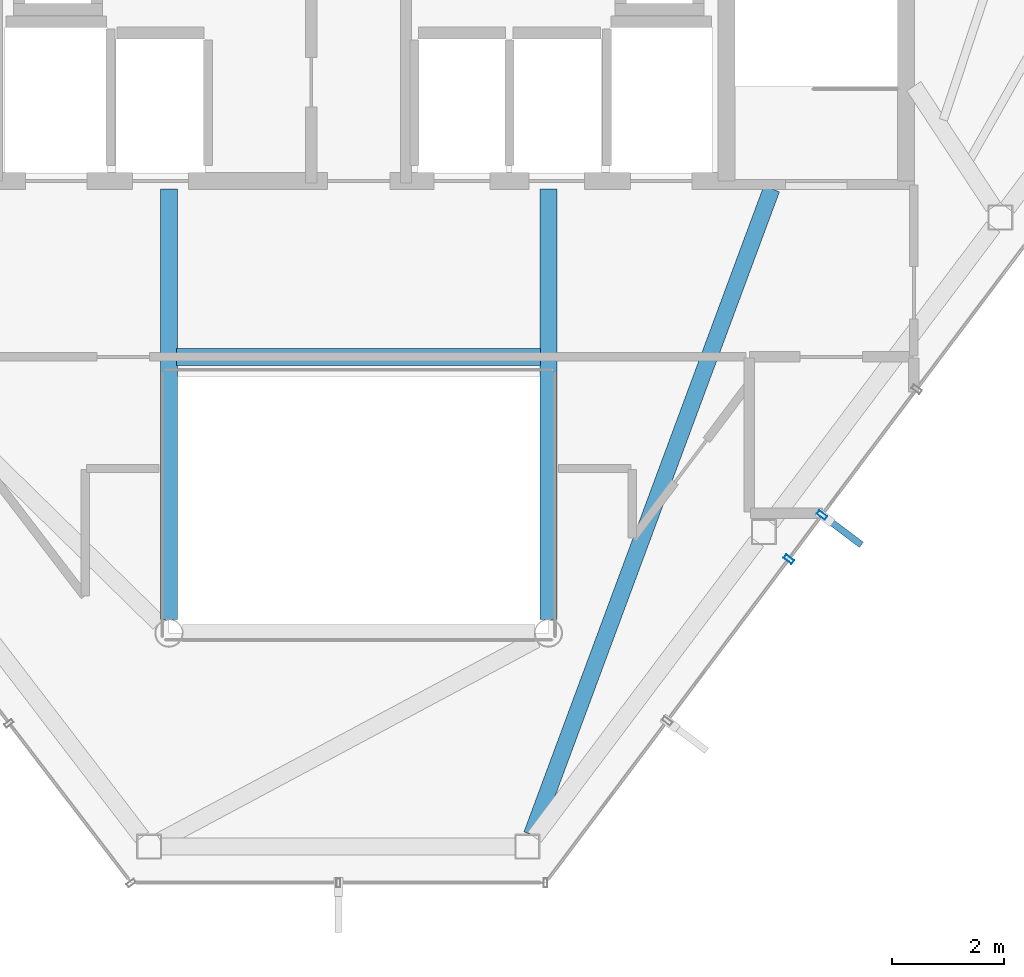
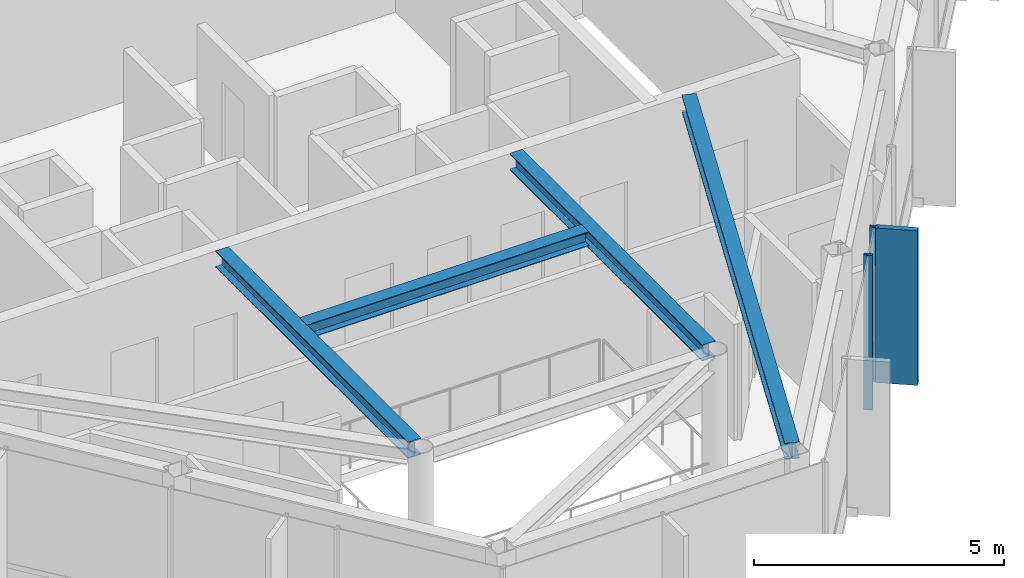
# One storey, part 6 of 21: 4 beams, 3 members, 1 element without a shape of its own.
"""IFC4 building model written with IfcOpenShell, lengths in metres."""

from ifc_helpers import new_model, si_unit, direction, frame, origin, origin_2d, place, context, subcontext, project, spatial, rectangle, hollow_rectangle, i_section, extrude, material, layer, layer_set, material_profile, profile_set, type_object, element, aggregate, save


model = new_model("IFC4")

# Units and contexts
model_context = context("Model", 3, precision=1e-05, world=origin(), true_north=direction((0.0, 1.0)))
body_context = subcontext(model_context, "Body", "Model", "MODEL_VIEW")
ifc_project = project(units=[si_unit("LENGTHUNIT", "METRE"), si_unit("AREAUNIT", "SQUARE_METRE"), si_unit("VOLUMEUNIT", "CUBIC_METRE"), si_unit("PLANEANGLEUNIT", "RADIAN"), si_unit("MASSUNIT", "GRAM", prefix="KILO")], contexts=[model_context])

# Site, building, storey
site_placement = place(None, origin())
site = spatial("IfcSite", under=ifc_project, at=site_placement, CompositionType="ELEMENT")
building_placement = place(site_placement, origin())
building = spatial("IfcBuilding", under=site, at=building_placement, Name="Zarrinselat Tower", CompositionType="ELEMENT")
storey_placement = place(building_placement, frame((0.0, 0.0, 299.199951171875)))
storey = spatial("IfcBuildingStorey", under=building, at=storey_placement, Name="L77", CompositionType="ELEMENT", Elevation=299.199951171875)

# Beams
ifc_material_1 = material(Name="Steel S355J2", Category="steel")
ifc_material_profile_1 = material_profile(ifc_material_1, i_section(OverallWidth=0.300048828125, OverallDepth=0.35009765625, WebThickness=0.010009765625, FlangeThickness=0.017578125, at=origin_2d()), Name="HEA 360")
ifc_profile_set_1 = profile_set([ifc_material_profile_1], Name="Steel S355J2")
beam_type_1 = type_object("IfcBeamType", Name="BM-HEA360", PredefinedType="LINTEL", material=ifc_profile_set_1)
beam_1_placement = place(storey_placement, frame((35.139892578125, 30.14990234375, 3.60498046875), z_axis=(1.0, 0.0, 0.0), x_axis=(0.0, 1.0, 0.0)))
element("IfcBeam", 1, at=beam_1_placement, inside=storey, type_object=beam_type_1, Name="L77 Lift Lobby Ceiling Beam", PredefinedType="LINTEL", context=body_context, shape_type="SweptSolid", body=[
    extrude(i_section(OverallWidth=0.300048828125, OverallDepth=0.35009765625, WebThickness=0.010009765625, FlangeThickness=0.017578125, at=origin_2d()), origin(), (0.0, 0.0, 1.0), 6.52001953125),
])
ifc_material_2 = material(Name="Steel S355J2", Category="steel")
ifc_material_profile_2 = material_profile(ifc_material_2, i_section(OverallWidth=0.300048828125, OverallDepth=0.39990234375, WebThickness=0.013427734375, FlangeThickness=0.02392578125, at=origin_2d()), Name="HEB 400")
ifc_profile_set_2 = profile_set([ifc_material_profile_2], Name="Steel S355J2")
beam_type_2 = type_object("IfcBeamType", Name="BM-HEB400", PredefinedType="BEAM", material=ifc_profile_set_2)
for number, where, z_axis, x_axis, name in (
    (2, (35.0, 25.43994140625, 3.580078125), (0.0, 1.0, 0.0), (-1.0, 0.0, 0.0), "L77 Atrium Edge Beam W"),
    (3, (41.800048828125, 25.43994140625, 3.580078125), (0.0, 1.0, 0.0), (-1.0, 0.0, 0.0), "L77 Atrium Edge Beam E"),
):
    element("IfcBeam", number, at=place(storey_placement, frame(where, z_axis=z_axis, x_axis=x_axis)), inside=storey, type_object=beam_type_2, Name=name, PredefinedType="BEAM", context=body_context, shape_type="SweptSolid", body=[
        extrude(i_section(OverallWidth=0.300048828125, OverallDepth=0.39990234375, WebThickness=0.013427734375, FlangeThickness=0.02392578125, at=origin_2d()), origin(), (0.0, 0.0, 1.0), 7.719970703125),
    ])
beam_2_placement = place(storey_placement, frame((41.502685546875, 21.586181640625, 3.580078125), z_axis=(0.348083253795, 0.937463625122, 0.0), x_axis=(-0.937463625122, 0.348083253795, 0.0)))
element("IfcBeam", 4, at=beam_2_placement, inside=storey, type_object=beam_type_2, Name="L77 Radial Primary Girder RG11", PredefinedType="BEAM", context=body_context, shape_type="SweptSolid", body=[
    extrude(i_section(OverallWidth=0.300048828125, OverallDepth=0.39990234375, WebThickness=0.013427734375, FlangeThickness=0.02392578125, at=origin_2d()), origin(), (0.0, 0.0, 1.0), 12.345703125),
])

# Curtain wall, members
ifc_material_3 = material(Name="Extruded Aluminium Alloy EN AW-6063 T6", Category="aluminium")
ifc_layer = layer(ifc_material_3, 0.199951171875)
ifc_layer_set = layer_set([ifc_layer], Name="Extruded Aluminium Alloy EN AW-6063 T6")
curtain_wall_type = type_object("IfcCurtainWallType", Name="CWS-BLADE", PredefinedType="NOTDEFINED", material=ifc_layer_set)
curtain_wall_placement = place(storey_placement, origin())
curtain_wall = element("IfcCurtainWall", 5, at=curtain_wall_placement, inside=storey, type_object=curtain_wall_type, Name="L77 Unitised Curtain Wall CW-L77-E05", PredefinedType="NOTDEFINED")
ifc_material_4 = material(Name="Extruded Aluminium Alloy EN AW-6063 T6", Category="aluminium")
ifc_material_profile_3 = material_profile(ifc_material_4, hollow_rectangle(XDim=0.080078125, YDim=0.179931640625, WallThickness=0.0048828125, at=origin_2d()), Name="RHS 180x80x5")
ifc_profile_set_3 = profile_set([ifc_material_profile_3], Name="Extruded Aluminium Alloy EN AW-6063 T6")
member_type_1 = type_object("IfcMemberType", Name="MEM-CW-MUL", PredefinedType="MULLION", material=ifc_profile_set_3)
member_1_placement = place(storey_placement, frame((46.108642578125, 26.5244140625, 0.0), z_axis=(0.0, 0.0, 1.0), x_axis=(0.600848494465, 0.799362925522, 0.0)))
member_1 = element("IfcMember", 6, at=member_1_placement, type_object=member_type_1, Name="CW-L77-E05 Mullion 2", PredefinedType="MULLION", context=body_context, shape_type="SweptSolid", body=[
    extrude(hollow_rectangle(XDim=0.080078125, YDim=0.179931640625, WallThickness=0.0048828125, at=origin_2d()), origin(), (0.0, 0.0, 1.0), 3.780029296875),
])
member_2_placement = place(storey_placement, frame((46.7021484375, 27.31396484375, 0.0), z_axis=(0.0, 0.0, 1.0), x_axis=(0.600848494465, 0.799362925522, 0.0)))
member_2 = element("IfcMember", 7, at=member_2_placement, type_object=member_type_1, Name="CW-L77-E05 Mullion 3", PredefinedType="MULLION", context=body_context, shape_type="SweptSolid", body=[
    extrude(hollow_rectangle(XDim=0.080078125, YDim=0.179931640625, WallThickness=0.0048828125, at=origin_2d()), origin(), (0.0, 0.0, 1.0), 3.780029296875),
])
ifc_material_5 = material(Name="Honed Cream Travertine Stone", Category="masonry")
ifc_material_profile_4 = material_profile(ifc_material_5, rectangle(XDim=0.1201171875, YDim=0.85009765625, at=origin_2d()), Name="FIN 850x120")
ifc_profile_set_4 = profile_set([ifc_material_profile_4], Name="Honed Cream Travertine Stone")
member_type_2 = type_object("IfcMemberType", Name="MEM-STONE-FIN", PredefinedType="USERDEFINED", material=ifc_profile_set_4)
member_3_placement = place(storey_placement, frame((47.06982421875, 27.03759765625, 0.0), z_axis=(0.0, 0.0, 1.0), x_axis=(-0.600848494465, -0.799362925522, 0.0)))
member_3 = element("IfcMember", 8, at=member_3_placement, type_object=member_type_2, Name="L77 Stone Shading Fin CW-L77-E05-03", ObjectType="FIN", PredefinedType="USERDEFINED", context=body_context, shape_type="SweptSolid", body=[
    extrude(rectangle(XDim=0.1201171875, YDim=0.85009765625, at=origin_2d()), origin(), (0.0, 0.0, 1.0), 3.780029296875),
])
aggregate(curtain_wall, [member_1, member_2, member_3])

save(model, "model.ifc")
